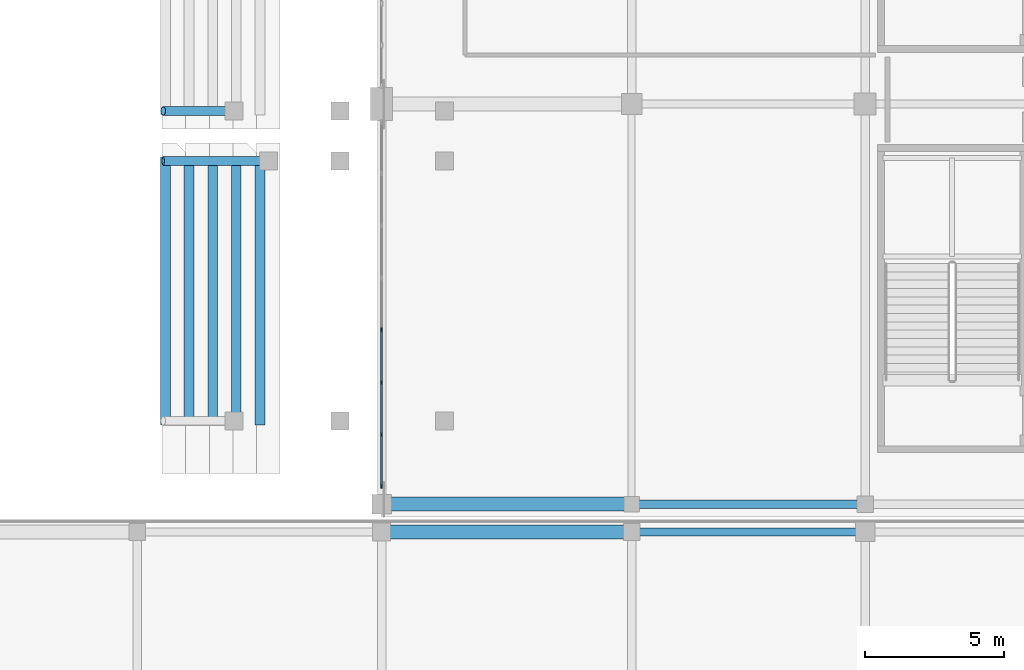
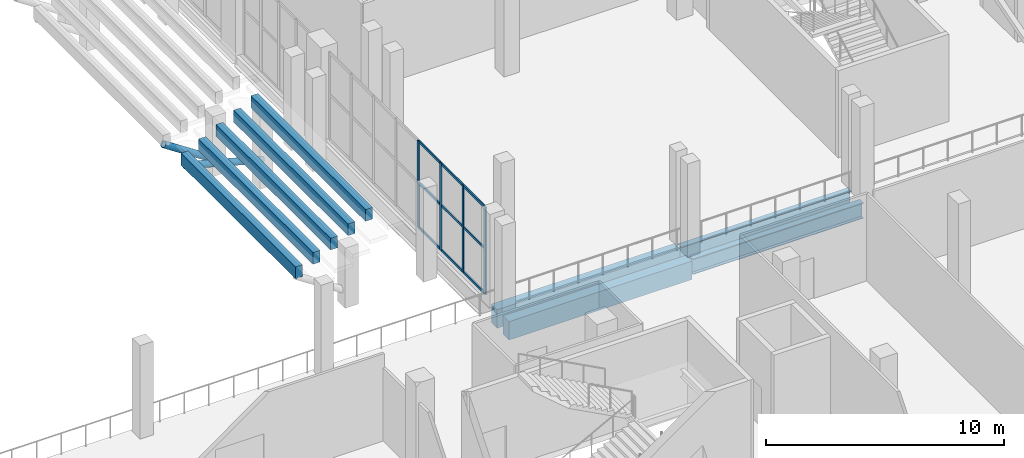
# One storey, part 43 of 142: 15 members, 9 beams, 1 element without a shape of its own.
"""IFC4 building model written with IfcOpenShell, lengths in metres."""

from ifc_helpers import new_model, si_unit, direction, frame, origin, origin_2d, place, context, subcontext, project, spatial, rectangle, hollow_circle, i_section, extrude, material, material_profile, profile_set, type_object, element, aggregate, save


model = new_model("IFC4")

# Units and contexts
model_context = context("Model", 3, precision=1e-05, world=origin(), true_north=direction((0.0, 1.0)))
body_context = subcontext(model_context, "Body", "Model", "MODEL_VIEW")
ifc_project = project(units=[si_unit("LENGTHUNIT", "METRE"), si_unit("AREAUNIT", "SQUARE_METRE"), si_unit("VOLUMEUNIT", "CUBIC_METRE"), si_unit("PLANEANGLEUNIT", "RADIAN"), si_unit("MASSUNIT", "GRAM", prefix="KILO")], contexts=[model_context])

# Site, building, storey
site_placement = place(None, origin())
site = spatial("IfcSite", under=ifc_project, at=site_placement, CompositionType="ELEMENT")
building_placement = place(site_placement, origin())
building = spatial("IfcBuilding", under=site, at=building_placement, Name="Koshinbarg Plaza Stadium", CompositionType="ELEMENT")
storey_placement = place(building_placement, frame((0.0, 0.0, 10.199951171875)))
storey = spatial("IfcBuildingStorey", under=building, at=storey_placement, Name="L02", CompositionType="ELEMENT", Elevation=10.199951171875)

# Beams
ifc_material_1 = material(Name="Concrete C40/50", Category="concrete")
ifc_material_profile_1 = material_profile(ifc_material_1, rectangle(XDim=0.35009765625, YDim=0.60009765625, at=origin_2d()), Name="RC 350x600")
ifc_profile_set_1 = profile_set([ifc_material_profile_1], Name="Concrete C40/50")
beam_type_1 = type_object("IfcBeamType", Name="BM-RCG-01", PredefinedType="SPANDREL", material=ifc_profile_set_1)
for number, where, z_axis, x_axis, name in (
    (1, (172.6201171875, 28.35009765625, 2.52001953125), (0.0, 1.0, 0.0), (-1.0, 0.0, 0.0), "Upper tier seat bearer UT-E01-R01"),
    (2, (173.469970703125, 28.35009765625, 2.9599609375), (0.0, 1.0, 0.0), (-1.0, 0.0, 0.0), "Upper tier seat bearer UT-E01-R02"),
    (3, (174.320068359375, 28.35009765625, 3.400146484375), (0.0, 1.0, 0.0), (-1.0, 0.0, 0.0), "Upper tier seat bearer UT-E01-R03"),
    (4, (175.169921875, 28.35009765625, 3.840087890625), (0.0, 1.0, 0.0), (-1.0, 0.0, 0.0), "Upper tier seat bearer UT-E01-R04"),
    (5, (176.02001953125, 28.35009765625, 4.280029296875), (0.0, 1.0, 0.0), (-1.0, 0.0, 0.0), "Upper tier seat bearer UT-E01-R05"),
):
    element("IfcBeam", number, at=place(storey_placement, frame(where, z_axis=z_axis, x_axis=x_axis)), inside=storey, type_object=beam_type_1, Name=name, PredefinedType="SPANDREL", context=body_context, shape_type="SweptSolid", body=[
        extrude(rectangle(XDim=0.35009765625, YDim=0.60009765625, at=origin_2d()), origin(), (0.0, 0.0, 1.0), 9.64990234375),
    ])
ifc_material_profile_2 = material_profile(ifc_material_1, rectangle(XDim=0.5, YDim=0.949951171875, at=origin_2d()), Name="RC 500x950")
ifc_profile_set_2 = profile_set([ifc_material_profile_2], Name="Concrete C40/50")
beam_type_2 = type_object("IfcBeamType", Name="BM-RCG-06", PredefinedType="USERDEFINED", material=ifc_profile_set_2)
for number, where, z_axis, x_axis, name in (
    (6, (180.4599609375, 24.5, -0.77490234375), (1.0, 0.0, 0.0), (0.0, 1.0, 0.0), "L02 X girder D/17-18"),
    (7, (180.4599609375, 25.5, -0.77490234375), (1.0, 0.0, 0.0), (0.0, 1.0, 0.0), "L02 X girder E/17-18"),
):
    element("IfcBeam", number, at=place(storey_placement, frame(where, z_axis=z_axis, x_axis=x_axis)), inside=storey, type_object=beam_type_2, Name=name, ObjectType="GIRDER", PredefinedType="USERDEFINED", context=body_context, shape_type="SweptSolid", body=[
        extrude(rectangle(XDim=0.5, YDim=0.949951171875, at=origin_2d()), origin(), (0.0, 0.0, 1.0), 8.880126953125),
    ])
ifc_material_2 = material(Name="Steel S355", Category="steel")
ifc_material_profile_3 = material_profile(ifc_material_2, i_section(OverallWidth=0.300048828125, OverallDepth=0.800048828125, WebThickness=0.017578125, FlangeThickness=0.032958984375, at=origin_2d()), Name="HEB 800")
ifc_profile_set_3 = profile_set([ifc_material_profile_3], Name="Steel S355")
beam_type_3 = type_object("IfcBeamType", Name="BM-SGIR-04", PredefinedType="USERDEFINED", material=ifc_profile_set_3)
for number, where, z_axis, x_axis, name in (
    (8, (189.4599609375, 24.5, -0.699951171875), (1.0, 0.0, 0.0), (0.0, 1.0, 0.0), "L02 X girder D/18-19"),
    (9, (189.4599609375, 25.5, -0.699951171875), (1.0, 0.0, 0.0), (0.0, 1.0, 0.0), "L02 X girder E/18-19"),
):
    element("IfcBeam", number, at=place(storey_placement, frame(where, z_axis=z_axis, x_axis=x_axis)), inside=storey, type_object=beam_type_3, Name=name, ObjectType="GIRDER", PredefinedType="USERDEFINED", context=body_context, shape_type="SweptSolid", body=[
        extrude(i_section(OverallWidth=0.300048828125, OverallDepth=0.800048828125, WebThickness=0.017578125, FlangeThickness=0.032958984375, at=origin_2d()), origin(), (0.0, 0.0, 1.0), 8.280029296875),
    ])

# Curtain wall, members
ifc_material_3 = material(Name="Thermally broken anodised aluminium and low-E double glazing", Category="aluminium")
curtain_wall_type = type_object("IfcCurtainWallType", Name="CW-SYS-02", PredefinedType="NOTDEFINED", material=ifc_material_3)
curtain_wall_placement = place(storey_placement, origin())
curtain_wall = element("IfcCurtainWall", 10, at=curtain_wall_placement, inside=storey, type_object=curtain_wall_type, Name="L02 unitised curtain wall CW-L02-081", PredefinedType="NOTDEFINED")
ifc_material_4 = material(Name="Anodised aluminium mullion", Category="aluminium")
ifc_material_profile_4 = material_profile(ifc_material_4, rectangle(XDim=0.06005859375, YDim=0.159912109375, at=origin_2d()), Name="ALU 60x160")
ifc_profile_set_4 = profile_set([ifc_material_profile_4], Name="Anodised aluminium mullion")
member_type_1 = type_object("IfcMemberType", Name="CW-MUL-02", PredefinedType="MULLION", material=ifc_profile_set_4)
member_1_placement = place(storey_placement, frame((180.39990234375, 26.14990234375, 0.0), z_axis=(0.0, 0.0, 1.0), x_axis=(-1.0, 0.0, 0.0)))
member_1 = element("IfcMember", 11, at=member_1_placement, type_object=member_type_1, Name="CW02 mullion 1", PredefinedType="MULLION", context=body_context, shape_type="SweptSolid", body=[
    extrude(rectangle(XDim=0.06005859375, YDim=0.159912109375, at=origin_2d()), origin(), (0.0, 0.0, 1.0), 4.47998046875),
])
member_2_placement = place(storey_placement, frame((180.39990234375, 28.0, 0.0), z_axis=(0.0, 0.0, 1.0), x_axis=(-1.0, 0.0, 0.0)))
member_2 = element("IfcMember", 12, at=member_2_placement, type_object=member_type_1, Name="CW02 mullion 2", PredefinedType="MULLION", context=body_context, shape_type="SweptSolid", body=[
    extrude(rectangle(XDim=0.06005859375, YDim=0.159912109375, at=origin_2d()), origin(), (0.0, 0.0, 1.0), 4.47998046875),
])
member_3_placement = place(storey_placement, frame((180.39990234375, 29.8798828125, 0.0), z_axis=(0.0, 0.0, 1.0), x_axis=(-1.0, 0.0, 0.0)))
member_3 = element("IfcMember", 13, at=member_3_placement, type_object=member_type_1, Name="CW02 mullion 3", PredefinedType="MULLION", context=body_context, shape_type="SweptSolid", body=[
    extrude(rectangle(XDim=0.06005859375, YDim=0.159912109375, at=origin_2d()), origin(), (0.0, 0.0, 1.0), 4.47998046875),
])
member_4_placement = place(storey_placement, frame((180.39990234375, 31.760009765625, 0.0), z_axis=(0.0, 0.0, 1.0), x_axis=(-1.0, 0.0, 0.0)))
member_4 = element("IfcMember", 14, at=member_4_placement, type_object=member_type_1, Name="CW02 mullion 4", PredefinedType="MULLION", context=body_context, shape_type="SweptSolid", body=[
    extrude(rectangle(XDim=0.06005859375, YDim=0.159912109375, at=origin_2d()), origin(), (0.0, 0.0, 1.0), 4.47998046875),
])
ifc_material_5 = material(Name="Anodised aluminium transom", Category="aluminium")
ifc_material_profile_5 = material_profile(ifc_material_5, rectangle(XDim=0.06005859375, YDim=0.1298828125, at=origin_2d()), Name="ALU 60x130")
ifc_profile_set_5 = profile_set([ifc_material_profile_5], Name="Anodised aluminium transom")
member_type_2 = type_object("IfcMemberType", Name="CW-TRN-02", PredefinedType="USERDEFINED", material=ifc_profile_set_5)
member_5_placement = place(storey_placement, frame((180.39990234375, 26.179931640625, 0.030029296875), z_axis=(0.0, 1.0, 0.0), x_axis=(-1.0, 0.0, 0.0)))
member_5 = element("IfcMember", 15, at=member_5_placement, type_object=member_type_2, Name="CW02 transom 1.1", ObjectType="TRANSOM", PredefinedType="USERDEFINED", context=body_context, shape_type="SweptSolid", body=[
    extrude(rectangle(XDim=0.06005859375, YDim=0.1298828125, at=origin_2d()), origin(), (0.0, 0.0, 1.0), 1.7900390625),
])
member_6_placement = place(storey_placement, frame((180.39990234375, 26.179931640625, 2.32958984375), z_axis=(0.0, 1.0, 0.0), x_axis=(-1.0, 0.0, 0.0)))
member_6 = element("IfcMember", 16, at=member_6_placement, type_object=member_type_2, Name="CW02 transom 1.2", ObjectType="TRANSOM", PredefinedType="USERDEFINED", context=body_context, shape_type="SweptSolid", body=[
    extrude(rectangle(XDim=0.06005859375, YDim=0.1298828125, at=origin_2d()), origin(), (0.0, 0.0, 1.0), 1.7900390625),
])
member_7_placement = place(storey_placement, frame((180.39990234375, 26.179931640625, 4.449951171875), z_axis=(0.0, 1.0, 0.0), x_axis=(-1.0, 0.0, 0.0)))
member_7 = element("IfcMember", 17, at=member_7_placement, type_object=member_type_2, Name="CW02 transom 1.3", ObjectType="TRANSOM", PredefinedType="USERDEFINED", context=body_context, shape_type="SweptSolid", body=[
    extrude(rectangle(XDim=0.06005859375, YDim=0.1298828125, at=origin_2d()), origin(), (0.0, 0.0, 1.0), 1.7900390625),
])
member_8_placement = place(storey_placement, frame((180.39990234375, 28.030029296875, 0.030029296875), z_axis=(0.0, 1.0, 0.0), x_axis=(-1.0, 0.0, 0.0)))
member_8 = element("IfcMember", 18, at=member_8_placement, type_object=member_type_2, Name="CW02 transom 2.1", ObjectType="TRANSOM", PredefinedType="USERDEFINED", context=body_context, shape_type="SweptSolid", body=[
    extrude(rectangle(XDim=0.06005859375, YDim=0.1298828125, at=origin_2d()), origin(), (0.0, 0.0, 1.0), 1.820068359375),
])
member_9_placement = place(storey_placement, frame((180.39990234375, 28.030029296875, 2.32958984375), z_axis=(0.0, 1.0, 0.0), x_axis=(-1.0, 0.0, 0.0)))
member_9 = element("IfcMember", 19, at=member_9_placement, type_object=member_type_2, Name="CW02 transom 2.2", ObjectType="TRANSOM", PredefinedType="USERDEFINED", context=body_context, shape_type="SweptSolid", body=[
    extrude(rectangle(XDim=0.06005859375, YDim=0.1298828125, at=origin_2d()), origin(), (0.0, 0.0, 1.0), 1.820068359375),
])
member_10_placement = place(storey_placement, frame((180.39990234375, 28.030029296875, 4.449951171875), z_axis=(0.0, 1.0, 0.0), x_axis=(-1.0, 0.0, 0.0)))
member_10 = element("IfcMember", 20, at=member_10_placement, type_object=member_type_2, Name="CW02 transom 2.3", ObjectType="TRANSOM", PredefinedType="USERDEFINED", context=body_context, shape_type="SweptSolid", body=[
    extrude(rectangle(XDim=0.06005859375, YDim=0.1298828125, at=origin_2d()), origin(), (0.0, 0.0, 1.0), 1.820068359375),
])
member_11_placement = place(storey_placement, frame((180.39990234375, 29.909912109375, 0.030029296875), z_axis=(0.0, 1.0, 0.0), x_axis=(-1.0, 0.0, 0.0)))
member_11 = element("IfcMember", 21, at=member_11_placement, type_object=member_type_2, Name="CW02 transom 3.1", ObjectType="TRANSOM", PredefinedType="USERDEFINED", context=body_context, shape_type="SweptSolid", body=[
    extrude(rectangle(XDim=0.06005859375, YDim=0.1298828125, at=origin_2d()), origin(), (0.0, 0.0, 1.0), 1.820068359375),
])
member_12_placement = place(storey_placement, frame((180.39990234375, 29.909912109375, 2.32958984375), z_axis=(0.0, 1.0, 0.0), x_axis=(-1.0, 0.0, 0.0)))
member_12 = element("IfcMember", 22, at=member_12_placement, type_object=member_type_2, Name="CW02 transom 3.2", ObjectType="TRANSOM", PredefinedType="USERDEFINED", context=body_context, shape_type="SweptSolid", body=[
    extrude(rectangle(XDim=0.06005859375, YDim=0.1298828125, at=origin_2d()), origin(), (0.0, 0.0, 1.0), 1.820068359375),
])
member_13_placement = place(storey_placement, frame((180.39990234375, 29.909912109375, 4.449951171875), z_axis=(0.0, 1.0, 0.0), x_axis=(-1.0, 0.0, 0.0)))
member_13 = element("IfcMember", 23, at=member_13_placement, type_object=member_type_2, Name="CW02 transom 3.3", ObjectType="TRANSOM", PredefinedType="USERDEFINED", context=body_context, shape_type="SweptSolid", body=[
    extrude(rectangle(XDim=0.06005859375, YDim=0.1298828125, at=origin_2d()), origin(), (0.0, 0.0, 1.0), 1.820068359375),
])
aggregate(curtain_wall, [member_1, member_2, member_3, member_4, member_5, member_6, member_7, member_8, member_9, member_10, member_11, member_12, member_13])

# Members
ifc_material_profile_6 = material_profile(ifc_material_2, hollow_circle(Radius=0.161865234375, WallThickness=0.01416015625, at=origin_2d()), Name="CHS 323.9x14.2")
ifc_profile_set_6 = profile_set([ifc_material_profile_6], Name="Steel S355")
member_type_3 = type_object("IfcMemberType", Name="MB-BRACE-01", PredefinedType="BRACE", material=ifc_profile_set_6)
member_14_placement = place(storey_placement, frame((176.330078125, 37.85009765625, 1.2265625), z_axis=(-0.96496579401, 0.0, 0.262375716086), x_axis=(0.0, -1.0, 0.0)))
element("IfcMember", 24, at=member_14_placement, inside=storey, type_object=member_type_3, Name="Upper tier cantilever knee strut UT-E01-R", PredefinedType="BRACE", context=body_context, shape_type="SweptSolid", body=[
    extrude(hollow_circle(Radius=0.161865234375, WallThickness=0.01416015625, at=origin_2d()), origin(), (0.0, 0.0, 1.0), 3.927734375),
])
member_15_placement = place(storey_placement, frame((175.080078125, 39.64990234375, 0.582763671875), z_axis=(-0.8349280335, 0.0, 0.550359136269), x_axis=(0.0, -1.0, 0.0)))
element("IfcMember", 25, at=member_15_placement, inside=storey, type_object=member_type_3, Name="Upper tier cantilever knee strut UT-E02-L", PredefinedType="BRACE", context=body_context, shape_type="SweptSolid", body=[
    extrude(hollow_circle(Radius=0.161865234375, WallThickness=0.01416015625, at=origin_2d()), origin(), (0.0, 0.0, 1.0), 3.042236328125),
])

save(model, "model.ifc")
